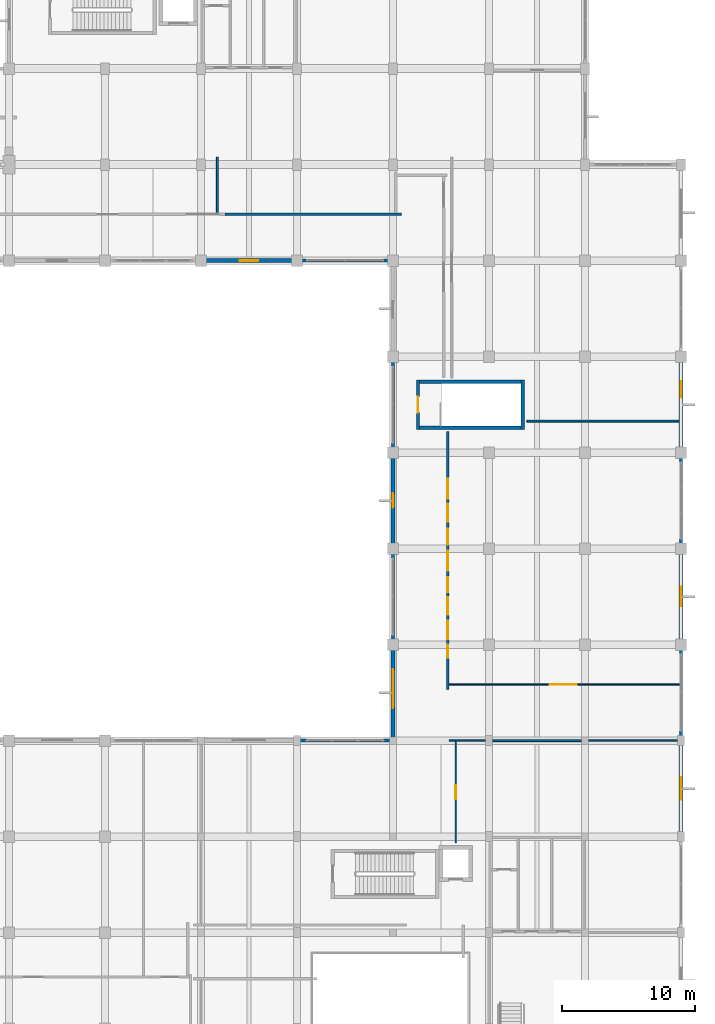
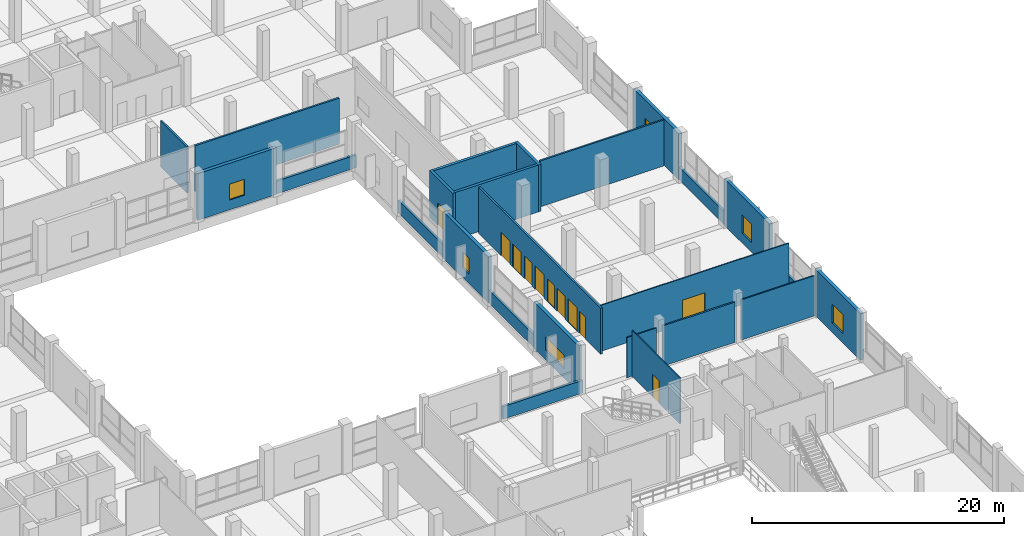
# One storey, part 166 of 181: 25 walls, 11 doors, 6 windows, 17 openings.
"""IFC4 building model written with IfcOpenShell, lengths in metres."""

import ifcopenshell
import ifcopenshell.guid

model = None  # the IFC model being written
_history = None  # IfcOwnerHistory: only IFC2X3 demands one
_inside = {}  # id of a spatial element -> (the spatial element, [elements in it])
_under = {}  # id of a project, library or spatial element -> (it, [spatial elements below it])
_declared = {}  # id of a project -> (the project, [libraries it declares])
_typed = {}  # id of a type object -> (the type object, [elements of that type])
_made_of = {}  # id of a material, layer set ... -> (it, [elements and type objects made of it])


def new_model(schema):
    """Start an empty IFC model of exactly this schema.

    Asked for "IFC4X3", IfcOpenShell would pick the latest addendum, in which some entities
    have other attributes; the version numbers below select the first issue.
    IFC2X3 requires an IfcOwnerHistory on every rooted entity: one is made here for all.
    """
    global model, _history
    if schema == "IFC4X3":
        model = ifcopenshell.file(schema_version=(4, 3, 0, 0))
    else:
        model = ifcopenshell.file(schema=schema)
    _inside.clear()
    _under.clear()
    _declared.clear()
    _typed.clear()
    _made_of.clear()
    _history = None
    if model.schema == "IFC2X3":
        org = make("IfcOrganization", Name="unknown")
        user = make(
            "IfcPersonAndOrganization",
            ThePerson=make("IfcPerson", FamilyName="unknown"),
            TheOrganization=org,
        )
        app = make(
            "IfcApplication",
            ApplicationDeveloper=org,
            Version="unknown",
            ApplicationFullName="unknown",
            ApplicationIdentifier="unknown",
        )
        _history = make(
            "IfcOwnerHistory",
            OwningUser=user,
            OwningApplication=app,
            ChangeAction="ADDED",
            CreationDate=0,
        )
    return model


def make(cls, **values):
    """One entity of the class cls with the attributes given. An attribute that is None is left unset."""
    return model.create_entity(
        cls, **{name: value for name, value in values.items() if value is not None}
    )


def rooted(cls, **values):
    """An entity with a GlobalId (a new one), such as an element, a storey or a relation."""
    return make(cls, GlobalId=ifcopenshell.guid.new(), OwnerHistory=_history, **values)


def si_unit(unit_type, name, prefix=None):
    """IfcSIUnit, for example si_unit("LENGTHUNIT", "METRE", prefix="MILLI")."""
    return make("IfcSIUnit", UnitType=unit_type, Prefix=prefix, Name=name)


def assignment(units):
    """IfcUnitAssignment: the units of a project."""
    return None if units is None else make("IfcUnitAssignment", Units=units)


def point(xyz):
    """IfcCartesianPoint."""
    return None if xyz is None else make("IfcCartesianPoint", Coordinates=xyz)


def direction(xyz):
    """IfcDirection."""
    return None if xyz is None else make("IfcDirection", DirectionRatios=xyz)


def frame(location, z_axis=None, x_axis=None):
    """IfcAxis2Placement3D, a coordinate frame: its origin and axes. An axis left out is left unset."""
    return make(
        "IfcAxis2Placement3D",
        Location=point(location),
        Axis=direction(z_axis),
        RefDirection=direction(x_axis),
    )


def frame_2d(location, x_axis=None):
    """IfcAxis2Placement2D, a coordinate frame in the plane: its origin and x axis."""
    return make(
        "IfcAxis2Placement2D", Location=point(location), RefDirection=direction(x_axis)
    )


def origin():
    """The frame at (0, 0, 0) with its axes left unset."""
    return frame((0.0, 0.0, 0.0))


def place(relative_to, where):
    """IfcLocalPlacement: puts the frame where relative to a parent placement (None: the world)."""
    return make(
        "IfcLocalPlacement", PlacementRelTo=relative_to, RelativePlacement=where
    )


def context(
    kind, dimensions, precision=None, world=None, true_north=None, identifier=None
):
    """IfcGeometricRepresentationContext, for example the 3D "Model" context."""
    return make(
        "IfcGeometricRepresentationContext",
        ContextIdentifier=identifier,
        ContextType=kind,
        CoordinateSpaceDimension=dimensions,
        Precision=precision,
        WorldCoordinateSystem=world,
        TrueNorth=true_north,
    )


def subcontext(parent, identifier, kind, view, scale=None):
    """IfcGeometricRepresentationSubContext, for example "Body" below "Model"."""
    return make(
        "IfcGeometricRepresentationSubContext",
        ContextIdentifier=identifier,
        ContextType=kind,
        ParentContext=parent,
        TargetScale=scale,
        TargetView=view,
    )


def project(units=None, contexts=None):
    """IfcProject with its units and contexts."""
    return rooted(
        "IfcProject",
        Name="project",
        RepresentationContexts=contexts,
        UnitsInContext=assignment(units),
    )


def spatial(cls, under=None, at=None, **own):
    """A site, building, storey or space (cls), placed at a placement, below another one or the project."""
    s = rooted(cls, ObjectPlacement=at, **own)
    if under is not None:
        _under.setdefault(under.id(), (under, []))[1].append(s)
    return s


def profile(cls, at=None, kind="AREA", **sizes):
    """A parametric profile (cls). Its sizes go by their IFC names, for example OverallWidth=200.0."""
    return make(cls, ProfileType=kind, Position=at, **sizes)


def rectangle(**sizes):
    """IfcRectangleProfileDef."""
    return profile("IfcRectangleProfileDef", **sizes)


def extrude(swept, where, along, depth):
    """IfcExtrudedAreaSolid: the profile swept, set in the frame where, extruded along a direction by depth."""
    return make(
        "IfcExtrudedAreaSolid",
        SweptArea=swept,
        Position=where,
        ExtrudedDirection=direction(along),
        Depth=depth,
    )


def shape(context_of_items, identifier, shape_type, items):
    """IfcShapeRepresentation: the items that make up one representation, for example the "Body"."""
    return make(
        "IfcShapeRepresentation",
        ContextOfItems=context_of_items,
        RepresentationIdentifier=identifier,
        RepresentationType=shape_type,
        Items=items,
    )


def material(Name=None, Category=None):
    """IfcMaterial."""
    return make("IfcMaterial", Name=Name, Category=Category)


def layer(
    of_material, thickness, ventilated=None, Name=None, Category=None, Priority=None
):
    """IfcMaterialLayer: one layer of a wall or slab, of a material (None: an air gap)."""
    return make(
        "IfcMaterialLayer",
        Material=of_material,
        LayerThickness=thickness,
        IsVentilated=ventilated,
        Name=Name,
        Category=Category,
        Priority=Priority,
    )


def layer_set(layers, Name=None):
    """IfcMaterialLayerSet."""
    return make("IfcMaterialLayerSet", MaterialLayers=layers, LayerSetName=Name)


def made_of(thing, what):
    """Note that an element or type object is made of a material, layer set ...; save() writes the relation."""
    if what is not None:
        _made_of.setdefault(what.id(), (what, []))[1].append(thing)
    return thing


def type_object(cls, material=None, **own):
    """A type object (cls), such as IfcWallType, which elements share."""
    return made_of(rooted(cls, **own), material)


def element(
    cls,
    number,
    at=None,
    inside=None,
    cuts=None,
    type_object=None,
    material=None,
    context=None,
    identifier="Body",
    shape_type=None,
    held_by="IfcProductDefinitionShape",
    body=None,
    shapes=None,
    **own,
):
    """One element of the class cls, such as IfcWall. Its Tag is "e" and its number.

    at: its placement. inside: the storey or other place that contains it. cuts: it is an
    opening in that element (IfcRelVoidsElement). A single representation is given by context,
    identifier, shape_type and body (its items); several are given by shapes. held_by: the class
    of the entity that holds the representations. save() writes the other relations.
    """
    e = rooted(cls, Tag="e%d" % number, ObjectPlacement=at, **own)
    if body is not None:
        shapes = [shape(context, identifier, shape_type, body)]
    if shapes is not None:
        e.Representation = make(held_by, Representations=shapes)
    if inside is not None:
        _inside.setdefault(inside.id(), (inside, []))[1].append(e)
    if cuts is not None:
        rooted(
            "IfcRelVoidsElement", RelatingBuildingElement=cuts, RelatedOpeningElement=e
        )
    if type_object is not None:
        _typed.setdefault(type_object.id(), (type_object, []))[1].append(e)
    return made_of(e, material)


def fill(opening, filler):
    """IfcRelFillsElement: the door or window that sits in an opening."""
    return rooted(
        "IfcRelFillsElement",
        RelatingOpeningElement=opening,
        RelatedBuildingElement=filler,
    )


def aggregate(whole, parts):
    """IfcRelAggregates: a whole, such as a stair, and the parts it consists of."""
    return rooted("IfcRelAggregates", RelatingObject=whole, RelatedObjects=parts)


def save(model, path):
    """Write the relations noted so far, then the file.

    IfcRelAggregates (storeys below a building ...), IfcRelContainedInSpatialStructure (elements
    in a storey), IfcRelDefinesByType, IfcRelAssociatesMaterial and IfcRelDeclares: one each for
    every whole, place, type object, material and project.
    """
    for whole, parts in _under.values():
        aggregate(whole, parts)
    for where, things in _inside.values():
        rooted(
            "IfcRelContainedInSpatialStructure",
            RelatedElements=things,
            RelatingStructure=where,
        )
    for kind, things in _typed.values():
        rooted("IfcRelDefinesByType", RelatedObjects=things, RelatingType=kind)
    for what, things in _made_of.values():
        rooted("IfcRelAssociatesMaterial", RelatedObjects=things, RelatingMaterial=what)
    for by, libraries in _declared.values():
        rooted("IfcRelDeclares", RelatingContext=by, RelatedDefinitions=libraries)
    model.write(path)


model = new_model("IFC4")

# Units and contexts
model_context = context("Model", 3, precision=1e-05, world=origin(), true_north=direction((0.0, 1.0)))
body_context = subcontext(model_context, "Body", "Model", "MODEL_VIEW")
ifc_project = project(units=[si_unit("LENGTHUNIT", "METRE"), si_unit("AREAUNIT", "SQUARE_METRE"), si_unit("VOLUMEUNIT", "CUBIC_METRE"), si_unit("PLANEANGLEUNIT", "RADIAN"), si_unit("MASSUNIT", "GRAM", prefix="KILO")], contexts=[model_context])

# Site, building, storey
site_placement = place(None, origin())
site = spatial("IfcSite", under=ifc_project, at=site_placement, CompositionType="ELEMENT")
building_placement = place(site_placement, origin())
building = spatial("IfcBuilding", under=site, at=building_placement, Name="Seraya Terrace Polytechnic", CompositionType="ELEMENT")
storey_placement = place(building_placement, frame((0.0, 0.0, 4.800048828125)))
storey = spatial("IfcBuildingStorey", under=building, at=storey_placement, Name="L01", CompositionType="ELEMENT", Elevation=4.800048828125)

# Wall, opening, window
ifc_material_1 = material(Name="Concrete C40/50", Category="concrete")
ifc_layer_1 = layer(ifc_material_1, 0.300048828125, Name="EW-01")
ifc_layer_set_1 = layer_set([ifc_layer_1], Name="Concrete C40/50")
wall_type_1 = type_object("IfcWallType", Name="EW-01", PredefinedType="SOLIDWALL", material=ifc_layer_set_1)
wall_1_placement = place(storey_placement, frame((165.60009765625, 64.800048828125, 0.0), z_axis=(0.0, 0.0, 1.0), x_axis=(0.0, -1.0, 0.0)))
wall_1 = element("IfcWall", 1, at=wall_1_placement, inside=storey, type_object=wall_type_1, Name="Exterior structural wall EW-01 L01", PredefinedType="SOLIDWALL", context=body_context, shape_type="SweptSolid", body=[
    extrude(rectangle(XDim=7.199951171875, YDim=0.300048828125, at=frame_2d((3.60009765625, 0.0))), origin(), (0.0, 0.0, 1.0), 4.52001953125),
])
opening_1_placement = place(wall_1_placement, frame((1.83251953125, 0.0, 0.949951171875)))
opening_1 = element("IfcOpeningElement", 2, at=opening_1_placement, cuts=wall_1, Name="Opening WN-27", PredefinedType="OPENING", context=body_context, shape_type="SweptSolid", body=[
    extrude(rectangle(XDim=1.199951171875, YDim=1.800048828125, at=frame_2d((0.60009765625, 0.89990234375))), frame((0.0, 0.162109375, 0.0), z_axis=(0.0, -1.0, 0.0), x_axis=(1.0, 0.0, 0.0)), (0.0, 0.0, 1.0), 0.323974609375),
])
ifc_material_2 = material(Name="Laminated solar-control Low-E double glazing", Category="glass")
window_type_1 = type_object("IfcWindowType", Name="WN-27", PartitioningType="SINGLE_PANEL", PredefinedType="WINDOW", material=ifc_material_2)
window_1_placement = place(opening_1_placement, origin())
window_1 = element("IfcWindow", 3, at=window_1_placement, inside=storey, type_object=window_type_1, Name="Exterior window WN-27 L01", OverallHeight=1.800048828125, OverallWidth=1.199951171875, PartitioningType="SINGLE_PANEL", PredefinedType="WINDOW", context=body_context, shape_type="SweptSolid", body=[
    extrude(rectangle(XDim=1.199951171875, YDim=1.800048828125, at=frame_2d((0.60009765625, 0.89990234375))), frame((0.0, 0.030029296875, 0.0), z_axis=(0.0, -1.0, 0.0), x_axis=(1.0, 0.0, 0.0)), (0.0, 0.0, 1.0), 0.06005859375),
])
fill(opening_1, window_1)

wall_2_placement = place(storey_placement, frame((165.60009765625, 50.39990234375, 0.0), z_axis=(0.0, 0.0, 1.0), x_axis=(0.0, -1.0, 0.0)))
wall_2 = element("IfcWall", 4, at=wall_2_placement, inside=storey, type_object=wall_type_1, Name="Exterior structural wall EW-01 L01", PredefinedType="SOLIDWALL", context=body_context, shape_type="SweptSolid", body=[
    extrude(rectangle(XDim=7.199951171875, YDim=0.300048828125, at=frame_2d((3.60009765625, 0.0))), origin(), (0.0, 0.0, 1.0), 4.52001953125),
])
opening_2_placement = place(wall_2_placement, frame((2.875, 0.0, 0.949951171875)))
opening_2 = element("IfcOpeningElement", 5, at=opening_2_placement, cuts=wall_2, Name="Opening WN-28", PredefinedType="OPENING", context=body_context, shape_type="SweptSolid", body=[
    extrude(rectangle(XDim=1.449951171875, YDim=1.800048828125, at=frame_2d((0.72509765625, 0.89990234375))), frame((0.0, 0.162109375, 0.0), z_axis=(0.0, -1.0, 0.0), x_axis=(1.0, 0.0, 0.0)), (0.0, 0.0, 1.0), 0.323974609375),
])
window_type_2 = type_object("IfcWindowType", Name="WN-28", PartitioningType="SINGLE_PANEL", PredefinedType="WINDOW", material=ifc_material_2)
window_2_placement = place(opening_2_placement, origin())
window_2 = element("IfcWindow", 6, at=window_2_placement, inside=storey, type_object=window_type_2, Name="Exterior window WN-28 L01", OverallHeight=1.800048828125, OverallWidth=1.449951171875, PartitioningType="SINGLE_PANEL", PredefinedType="WINDOW", context=body_context, shape_type="SweptSolid", body=[
    extrude(rectangle(XDim=1.449951171875, YDim=1.800048828125, at=frame_2d((0.72509765625, 0.89990234375))), frame((0.0, 0.030029296875, 0.0), z_axis=(0.0, -1.0, 0.0), x_axis=(1.0, 0.0, 0.0)), (0.0, 0.0, 1.0), 0.06005859375),
])
fill(opening_2, window_2)

wall_3_placement = place(storey_placement, frame((165.60009765625, 36.0, 0.0), z_axis=(0.0, 0.0, 1.0), x_axis=(0.0, -1.0, 0.0)))
wall_3 = element("IfcWall", 7, at=wall_3_placement, inside=storey, type_object=wall_type_1, Name="Exterior structural wall EW-01 L01", PredefinedType="SOLIDWALL", context=body_context, shape_type="SweptSolid", body=[
    extrude(rectangle(XDim=7.199951171875, YDim=0.300048828125, at=frame_2d((3.60009765625, 0.0))), origin(), (0.0, 0.0, 1.0), 4.52001953125),
])
opening_3_placement = place(wall_3_placement, frame((2.75, 0.0, 0.949951171875)))
opening_3 = element("IfcOpeningElement", 8, at=opening_3_placement, cuts=wall_3, Name="Opening WN-29", PredefinedType="OPENING", context=body_context, shape_type="SweptSolid", body=[
    extrude(rectangle(XDim=1.699951171875, YDim=1.800048828125, at=frame_2d((0.85009765625, 0.89990234375))), frame((0.0, 0.162109375, 0.0), z_axis=(0.0, -1.0, 0.0), x_axis=(1.0, 0.0, 0.0)), (0.0, 0.0, 1.0), 0.323974609375),
])
window_type_3 = type_object("IfcWindowType", Name="WN-29", PartitioningType="SINGLE_PANEL", PredefinedType="WINDOW", material=ifc_material_2)
window_3_placement = place(opening_3_placement, origin())
window_3 = element("IfcWindow", 9, at=window_3_placement, inside=storey, type_object=window_type_3, Name="Exterior window WN-29 L01", OverallHeight=1.800048828125, OverallWidth=1.699951171875, PartitioningType="SINGLE_PANEL", PredefinedType="WINDOW", context=body_context, shape_type="SweptSolid", body=[
    extrude(rectangle(XDim=1.699951171875, YDim=1.800048828125, at=frame_2d((0.85009765625, 0.89990234375))), frame((0.0, 0.030029296875, 0.0), z_axis=(0.0, -1.0, 0.0), x_axis=(1.0, 0.0, 0.0)), (0.0, 0.0, 1.0), 0.06005859375),
])
fill(opening_3, window_3)

wall_4_placement = place(storey_placement, frame((144.0, 36.152099609375, 0.0), z_axis=(0.0, 0.0, 1.0), x_axis=(0.0, 1.0, 0.0)))
wall_4 = element("IfcWall", 10, at=wall_4_placement, inside=storey, type_object=wall_type_1, Name="Exterior structural wall EW-01 L01", PredefinedType="SOLIDWALL", context=body_context, shape_type="SweptSolid", body=[
    extrude(rectangle(XDim=7.0478515625, YDim=0.300048828125, at=frame_2d((3.52392578125, 0.0))), origin(), (0.0, 0.0, 1.0), 4.52001953125),
])
opening_4_placement = place(wall_4_placement, frame((2.2880859375, 0.0, 0.949951171875)))
opening_4 = element("IfcOpeningElement", 11, at=opening_4_placement, cuts=wall_4, Name="Opening WN-12", PredefinedType="OPENING", context=body_context, shape_type="SweptSolid", body=[
    extrude(rectangle(XDim=2.89990234375, YDim=1.300048828125, at=frame_2d((1.449951171875, 0.64990234375))), frame((0.0, 0.162109375, 0.0), z_axis=(0.0, -1.0, 0.0), x_axis=(1.0, 0.0, 0.0)), (0.0, 0.0, 1.0), 0.323974609375),
])
window_type_4 = type_object("IfcWindowType", Name="WN-12", PartitioningType="SINGLE_PANEL", PredefinedType="WINDOW", material=ifc_material_2)
window_4_placement = place(opening_4_placement, origin())
window_4 = element("IfcWindow", 12, at=window_4_placement, inside=storey, type_object=window_type_4, Name="Exterior window WN-12 L01", OverallHeight=1.300048828125, OverallWidth=2.89990234375, PartitioningType="SINGLE_PANEL", PredefinedType="WINDOW", context=body_context, shape_type="SweptSolid", body=[
    extrude(rectangle(XDim=2.89990234375, YDim=1.300048828125, at=frame_2d((1.449951171875, 0.64990234375))), frame((0.0, 0.030029296875, 0.0), z_axis=(0.0, -1.0, 0.0), x_axis=(1.0, 0.0, 0.0)), (0.0, 0.0, 1.0), 0.06005859375),
])
fill(opening_4, window_4)

wall_5_placement = place(storey_placement, frame((144.0, 50.39990234375, 0.0), z_axis=(0.0, 0.0, 1.0), x_axis=(0.0, 1.0, 0.0)))
wall_5 = element("IfcWall", 13, at=wall_5_placement, inside=storey, type_object=wall_type_1, Name="Exterior structural wall EW-01 L01", PredefinedType="SOLIDWALL", context=body_context, shape_type="SweptSolid", body=[
    extrude(rectangle(XDim=7.2001953125, YDim=0.300048828125, at=frame_2d((3.60009765625, 0.0))), origin(), (0.0, 0.0, 1.0), 4.52001953125),
])
opening_5_placement = place(wall_5_placement, frame((3.050048828125, 0.0, 0.949951171875)))
opening_5 = element("IfcOpeningElement", 14, at=opening_5_placement, cuts=wall_5, Name="Opening WN-13", PredefinedType="OPENING", context=body_context, shape_type="SweptSolid", body=[
    extrude(rectangle(XDim=1.10009765625, YDim=1.550048828125, at=frame_2d((0.550048828125, 0.77490234375))), frame((0.0, 0.162109375, 0.0), z_axis=(0.0, -1.0, 0.0), x_axis=(1.0, 0.0, 0.0)), (0.0, 0.0, 1.0), 0.323974609375),
])
window_type_5 = type_object("IfcWindowType", Name="WN-13", PartitioningType="SINGLE_PANEL", PredefinedType="WINDOW", material=ifc_material_2)
window_5_placement = place(opening_5_placement, origin())
window_5 = element("IfcWindow", 15, at=window_5_placement, inside=storey, type_object=window_type_5, Name="Exterior window WN-13 L01", OverallHeight=1.550048828125, OverallWidth=1.10009765625, PartitioningType="SINGLE_PANEL", PredefinedType="WINDOW", context=body_context, shape_type="SweptSolid", body=[
    extrude(rectangle(XDim=1.10009765625, YDim=1.550048828125, at=frame_2d((0.550048828125, 0.77490234375))), frame((0.0, 0.030029296875, 0.0), z_axis=(0.0, -1.0, 0.0), x_axis=(1.0, 0.0, 0.0)), (0.0, 0.0, 1.0), 0.06005859375),
])
fill(opening_5, window_5)

wall_6_placement = place(storey_placement, frame((136.800048828125, 72.0, 0.0), z_axis=(0.0, 0.0, 1.0), x_axis=(-1.0, 0.0, 0.0)))
wall_6 = element("IfcWall", 16, at=wall_6_placement, inside=storey, type_object=wall_type_1, Name="Exterior structural wall EW-01 L01", PredefinedType="SOLIDWALL", context=body_context, shape_type="SweptSolid", body=[
    extrude(rectangle(XDim=7.199951171875, YDim=0.300048828125, at=frame_2d((3.60009765625, 0.0))), origin(), (0.0, 0.0, 1.0), 4.52001953125),
])
opening_6_placement = place(wall_6_placement, frame((2.89990234375, 0.0, 0.949951171875)))
opening_6 = element("IfcOpeningElement", 17, at=opening_6_placement, cuts=wall_6, Name="Opening WN-15", PredefinedType="OPENING", context=body_context, shape_type="SweptSolid", body=[
    extrude(rectangle(XDim=1.39990234375, YDim=1.550048828125, at=frame_2d((0.699951171875, 0.77490234375))), frame((0.0, 0.162109375, 0.0), z_axis=(0.0, -1.0, 0.0), x_axis=(1.0, 0.0, 0.0)), (0.0, 0.0, 1.0), 0.323974609375),
])
window_type_6 = type_object("IfcWindowType", Name="WN-15", PartitioningType="SINGLE_PANEL", PredefinedType="WINDOW", material=ifc_material_2)
window_6_placement = place(opening_6_placement, origin())
window_6 = element("IfcWindow", 18, at=window_6_placement, inside=storey, type_object=window_type_6, Name="Exterior window WN-15 L01", OverallHeight=1.550048828125, OverallWidth=1.39990234375, PartitioningType="SINGLE_PANEL", PredefinedType="WINDOW", context=body_context, shape_type="SweptSolid", body=[
    extrude(rectangle(XDim=1.39990234375, YDim=1.550048828125, at=frame_2d((0.699951171875, 0.77490234375))), frame((0.0, 0.030029296875, 0.0), z_axis=(0.0, -1.0, 0.0), x_axis=(1.0, 0.0, 0.0)), (0.0, 0.0, 1.0), 0.06005859375),
])
fill(opening_6, window_6)

# Walls
ifc_material_3 = material(Name="Precast concrete C40/50", Category="concrete")
ifc_layer_2 = layer(ifc_material_3, 0.219970703125, Name="EW-05")
ifc_layer_set_2 = layer_set([ifc_layer_2], Name="Precast concrete C40/50")
wall_type_2 = type_object("IfcWallType", Name="EW-05", PredefinedType="SOLIDWALL", material=ifc_layer_set_2)
wall_7_placement = place(storey_placement, frame((165.60009765625, 57.60009765625, 0.0), z_axis=(0.0, 0.0, 1.0), x_axis=(0.0, -1.0, 0.0)))
element("IfcWall", 19, at=wall_7_placement, inside=storey, type_object=wall_type_2, Name="Precast spandrel wall L01", PredefinedType="SOLIDWALL", context=body_context, shape_type="SweptSolid", body=[
    extrude(rectangle(XDim=7.2001953125, YDim=0.219970703125, at=frame_2d((3.60009765625, 0.0))), origin(), (0.0, 0.0, 1.0), 1.239990234375),
])
for number, where, z_axis, x_axis, name in (
    (20, (165.60009765625, 43.199951171875, 0.0), (0.0, 0.0, 1.0), (0.0, -1.0, 0.0), "Precast spandrel wall L01"),
    (21, (144.0, 43.199951171875, 0.0), (0.0, 0.0, 1.0), (0.0, 1.0, 0.0), "Precast spandrel wall L01"),
    (22, (144.0, 57.60009765625, 0.0), (0.0, 0.0, 1.0), (0.0, 1.0, 0.0), "Precast spandrel wall L01"),
):
    element("IfcWall", number, at=place(storey_placement, frame(where, z_axis=z_axis, x_axis=x_axis)), inside=storey, type_object=wall_type_2, Name=name, PredefinedType="SOLIDWALL", context=body_context, shape_type="SweptSolid", body=[
        extrude(rectangle(XDim=7.199951171875, YDim=0.219970703125, at=frame_2d((3.60009765625, 0.0))), origin(), (0.0, 0.0, 1.0), 1.239990234375),
    ])
for number, where, z_axis, x_axis, name in (
    (23, (144.14990234375, 72.0, 0.0), (0.0, 0.0, 1.0), (-1.0, 0.0, 0.0), "Precast spandrel wall L01"),
    (24, (136.800048828125, 36.0, 0.0), (0.0, 0.0, 1.0), (1.0, 0.0, 0.0), "Precast spandrel wall L01"),
):
    element("IfcWall", number, at=place(storey_placement, frame(where, z_axis=z_axis, x_axis=x_axis)), inside=storey, type_object=wall_type_2, Name=name, PredefinedType="SOLIDWALL", context=body_context, shape_type="SweptSolid", body=[
        extrude(rectangle(XDim=7.349853515625, YDim=0.219970703125, at=frame_2d((3.6748046875, 0.0))), origin(), (0.0, 0.0, 1.0), 1.239990234375),
    ])
ifc_material_4 = material(Name="Autoclaved aerated concrete blockwork", Category="masonry")
ifc_layer_3 = layer(ifc_material_4, 0.169921875, Name="PT-02")
ifc_layer_set_3 = layer_set([ifc_layer_3], Name="Autoclaved aerated concrete blockwork")
wall_type_3 = type_object("IfcWallType", Name="PT-02", PredefinedType="PARTITIONING", material=ifc_layer_set_3)
wall_8_placement = place(storey_placement, frame((131.388916015625, 75.469970703125, 0.0), z_axis=(0.0, 0.0, 1.0), x_axis=(1.0, 0.0, 0.0)))
element("IfcWall", 25, at=wall_8_placement, inside=storey, type_object=wall_type_3, Name="Internal partition PT-02 L01", PredefinedType="PARTITIONING", context=body_context, shape_type="SweptSolid", body=[
    extrude(rectangle(XDim=13.231201171875, YDim=0.169921875, at=frame_2d((6.61572265625, 0.0))), origin(), (0.0, 0.0, 1.0), 4.4599609375),
])

# Wall, openings, doors
wall_9_placement = place(storey_placement, frame((148.102294921875, 39.82373046875, 0.0), z_axis=(0.0, 0.0, 1.0), x_axis=(0.0, 1.0, 0.0)))
wall_9 = element("IfcWall", 26, at=wall_9_placement, inside=storey, type_object=wall_type_3, Name="Internal partition PT-02 L01", PredefinedType="PARTITIONING", context=body_context, shape_type="SweptSolid", body=[
    extrude(rectangle(XDim=19.34619140625, YDim=0.169921875, at=frame_2d((9.673095703125, 0.0))), origin(), (0.0, 0.0, 1.0), 4.4599609375),
])
opening_7_placement = place(wall_9_placement, frame((8.93310546875, 0.0, 0.0)))
opening_7 = element("IfcOpeningElement", 27, at=opening_7_placement, cuts=wall_9, Name="Opening ID-11", PredefinedType="OPENING", context=body_context, shape_type="SweptSolid", body=[
    extrude(rectangle(XDim=1.47998046875, YDim=2.260009765625, at=frame_2d((0.739990234375, 1.1298828125))), frame((0.0, 0.096923828125, 0.0), z_axis=(0.0, -1.0, 0.0), x_axis=(1.0, 0.0, 0.0)), (0.0, 0.0, 1.0), 0.19384765625),
])
opening_8_placement = place(wall_9_placement, frame((7.302978515625, 0.0, 0.0)))
opening_8 = element("IfcOpeningElement", 28, at=opening_8_placement, cuts=wall_9, Name="Opening ID-06", PredefinedType="OPENING", context=body_context, shape_type="SweptSolid", body=[
    extrude(rectangle(XDim=1.139892578125, YDim=2.199951171875, at=frame_2d((0.56982421875, 1.10009765625))), frame((0.0, 0.096923828125, 0.0), z_axis=(0.0, -1.0, 0.0), x_axis=(1.0, 0.0, 0.0)), (0.0, 0.0, 1.0), 0.19384765625),
])
opening_9_placement = place(wall_9_placement, frame((10.863037109375, 0.0, 0.0)))
opening_9 = element("IfcOpeningElement", 29, at=opening_9_placement, cuts=wall_9, Name="Opening ID-07", PredefinedType="OPENING", context=body_context, shape_type="SweptSolid", body=[
    extrude(rectangle(XDim=1.219970703125, YDim=2.219970703125, at=frame_2d((0.60986328125, 1.10986328125))), frame((0.0, 0.096923828125, 0.0), z_axis=(0.0, -1.0, 0.0), x_axis=(1.0, 0.0, 0.0)), (0.0, 0.0, 1.0), 0.19384765625),
])
opening_10_placement = place(wall_9_placement, frame((5.633056640625, 0.0, 0.0)))
opening_10 = element("IfcOpeningElement", 30, at=opening_10_placement, cuts=wall_9, Name="Opening ID-08", PredefinedType="OPENING", context=body_context, shape_type="SweptSolid", body=[
    extrude(rectangle(XDim=1.280029296875, YDim=2.219970703125, at=frame_2d((0.64013671875, 1.10986328125))), frame((0.0, 0.096923828125, 0.0), z_axis=(0.0, -1.0, 0.0), x_axis=(1.0, 0.0, 0.0)), (0.0, 0.0, 1.0), 0.19384765625),
])
opening_11_placement = place(wall_9_placement, frame((12.60302734375, 0.0, 0.0)))
opening_11 = element("IfcOpeningElement", 31, at=opening_11_placement, cuts=wall_9, Name="Opening ID-09", PredefinedType="OPENING", context=body_context, shape_type="SweptSolid", body=[
    extrude(rectangle(XDim=1.340087890625, YDim=2.239990234375, at=frame_2d((0.669921875, 1.1201171875))), frame((0.0, 0.096923828125, 0.0), z_axis=(0.0, -1.0, 0.0), x_axis=(1.0, 0.0, 0.0)), (0.0, 0.0, 1.0), 0.19384765625),
])
opening_12_placement = place(wall_9_placement, frame((3.76318359375, 0.0, 0.0)))
opening_12 = element("IfcOpeningElement", 32, at=opening_12_placement, cuts=wall_9, Name="Opening ID-10", PredefinedType="OPENING", context=body_context, shape_type="SweptSolid", body=[
    extrude(rectangle(XDim=1.419921875, YDim=2.239990234375, at=frame_2d((0.7099609375, 1.1201171875))), frame((0.0, 0.096923828125, 0.0), z_axis=(0.0, -1.0, 0.0), x_axis=(1.0, 0.0, 0.0)), (0.0, 0.0, 1.0), 0.19384765625),
])
opening_13_placement = place(wall_9_placement, frame((14.3330078125, 0.0, 0.0)))
opening_13 = element("IfcOpeningElement", 33, at=opening_13_placement, cuts=wall_9, Name="Opening ID-11", PredefinedType="OPENING", context=body_context, shape_type="SweptSolid", body=[
    extrude(rectangle(XDim=1.47998046875, YDim=2.260009765625, at=frame_2d((0.739990234375, 1.1298828125))), frame((0.0, 0.096923828125, 0.0), z_axis=(0.0, -1.0, 0.0), x_axis=(1.0, 0.0, 0.0)), (0.0, 0.0, 1.0), 0.19384765625),
])
opening_14_placement = place(wall_9_placement, frame((2.383056640625, 0.0, 0.0)))
opening_14 = element("IfcOpeningElement", 34, at=opening_14_placement, cuts=wall_9, Name="Opening ID-03", PredefinedType="OPENING", context=body_context, shape_type="SweptSolid", body=[
    extrude(rectangle(XDim=0.97998046875, YDim=2.139892578125, at=frame_2d((0.489990234375, 1.06982421875))), frame((0.0, 0.096923828125, 0.0), z_axis=(0.0, -1.0, 0.0), x_axis=(1.0, 0.0, 0.0)), (0.0, 0.0, 1.0), 0.19384765625),
])
ifc_material_5 = material(Name="Malaysian dark red meranti hardwood timber D40", Category="wood")
door_type_1 = type_object("IfcDoorType", Name="ID-03", OperationType="NOTDEFINED", PredefinedType="DOOR", material=ifc_material_5)
door_1_placement = place(opening_14_placement, origin())
door_1 = element("IfcDoor", 35, at=door_1_placement, inside=storey, type_object=door_type_1, Name="Door ID-03 DR-INT-L01-0128 in WL-INT-L01-0322", OperationType="SINGLE_SWING_LEFT", OverallHeight=2.139892578125, OverallWidth=0.97998046875, PredefinedType="DOOR", context=body_context, shape_type="SweptSolid", body=[
    extrude(rectangle(XDim=0.97998046875, YDim=2.139892578125, at=frame_2d((0.489990234375, 1.06982421875))), frame((0.0, 0.02490234375, 0.0), z_axis=(0.0, -1.0, 0.0), x_axis=(1.0, 0.0, 0.0)), (0.0, 0.0, 1.0), 0.050048828125),
])
fill(opening_14, door_1)
door_type_2 = type_object("IfcDoorType", Name="ID-06", OperationType="NOTDEFINED", PredefinedType="DOOR", material=ifc_material_5)
door_2_placement = place(opening_8_placement, frame((1.139892578125, 0.0, 0.0), z_axis=(0.0, 0.0, 1.0), x_axis=(-1.0, 0.0, 0.0)))
door_2 = element("IfcDoor", 36, at=door_2_placement, inside=storey, type_object=door_type_2, Name="Door ID-06 DR-INT-L01-0115 in WL-INT-L01-0322", OperationType="SINGLE_SWING_RIGHT", OverallHeight=2.199951171875, OverallWidth=1.139892578125, PredefinedType="DOOR", context=body_context, shape_type="SweptSolid", body=[
    extrude(rectangle(XDim=1.139892578125, YDim=2.199951171875, at=frame_2d((0.56982421875, 1.10009765625))), frame((0.0, 0.02490234375, 0.0), z_axis=(0.0, -1.0, 0.0), x_axis=(1.0, 0.0, 0.0)), (0.0, 0.0, 1.0), 0.050048828125),
])
fill(opening_8, door_2)
door_type_3 = type_object("IfcDoorType", Name="ID-07", OperationType="NOTDEFINED", PredefinedType="DOOR", material=ifc_material_5)
door_3_placement = place(opening_9_placement, origin())
door_3 = element("IfcDoor", 37, at=door_3_placement, inside=storey, type_object=door_type_3, Name="Door ID-07 DR-INT-L01-0116 in WL-INT-L01-0322", OperationType="SINGLE_SWING_LEFT", OverallHeight=2.219970703125, OverallWidth=1.219970703125, PredefinedType="DOOR", context=body_context, shape_type="SweptSolid", body=[
    extrude(rectangle(XDim=1.219970703125, YDim=2.219970703125, at=frame_2d((0.60986328125, 1.10986328125))), frame((0.0, 0.02490234375, 0.0), z_axis=(0.0, -1.0, 0.0), x_axis=(1.0, 0.0, 0.0)), (0.0, 0.0, 1.0), 0.050048828125),
])
fill(opening_9, door_3)
door_type_4 = type_object("IfcDoorType", Name="ID-08", OperationType="NOTDEFINED", PredefinedType="DOOR", material=ifc_material_5)
door_4_placement = place(opening_10_placement, frame((1.280029296875, 0.0, 0.0), z_axis=(0.0, 0.0, 1.0), x_axis=(-1.0, 0.0, 0.0)))
door_4 = element("IfcDoor", 38, at=door_4_placement, inside=storey, type_object=door_type_4, Name="Door ID-08 DR-INT-L01-0117 in WL-INT-L01-0322", OperationType="SINGLE_SWING_RIGHT", OverallHeight=2.219970703125, OverallWidth=1.280029296875, PredefinedType="DOOR", context=body_context, shape_type="SweptSolid", body=[
    extrude(rectangle(XDim=1.280029296875, YDim=2.219970703125, at=frame_2d((0.64013671875, 1.10986328125))), frame((0.0, 0.02490234375, 0.0), z_axis=(0.0, -1.0, 0.0), x_axis=(1.0, 0.0, 0.0)), (0.0, 0.0, 1.0), 0.050048828125),
])
fill(opening_10, door_4)
door_type_5 = type_object("IfcDoorType", Name="ID-09", OperationType="NOTDEFINED", PredefinedType="DOOR", material=ifc_material_5)
door_5_placement = place(opening_11_placement, origin())
door_5 = element("IfcDoor", 39, at=door_5_placement, inside=storey, type_object=door_type_5, Name="Door ID-09 DR-INT-L01-0118 in WL-INT-L01-0322", OperationType="SINGLE_SWING_LEFT", OverallHeight=2.239990234375, OverallWidth=1.340087890625, PredefinedType="DOOR", context=body_context, shape_type="SweptSolid", body=[
    extrude(rectangle(XDim=1.340087890625, YDim=2.239990234375, at=frame_2d((0.669921875, 1.1201171875))), frame((0.0, 0.02490234375, 0.0), z_axis=(0.0, -1.0, 0.0), x_axis=(1.0, 0.0, 0.0)), (0.0, 0.0, 1.0), 0.050048828125),
])
fill(opening_11, door_5)
door_type_6 = type_object("IfcDoorType", Name="ID-10", OperationType="DOUBLE_DOOR_SINGLE_SWING", PredefinedType="DOOR", material=ifc_material_5)
door_6_placement = place(opening_12_placement, frame((1.419921875, 0.0, 0.0), z_axis=(0.0, 0.0, 1.0), x_axis=(-1.0, 0.0, 0.0)))
door_6 = element("IfcDoor", 40, at=door_6_placement, inside=storey, type_object=door_type_6, Name="Door ID-10 DR-INT-L01-0119 in WL-INT-L01-0322", OperationType="DOUBLE_DOOR_SINGLE_SWING", OverallHeight=2.239990234375, OverallWidth=1.419921875, PredefinedType="DOOR", context=body_context, shape_type="SweptSolid", body=[
    extrude(rectangle(XDim=1.419921875, YDim=2.239990234375, at=frame_2d((0.7099609375, 1.1201171875))), frame((0.0, 0.02490234375, 0.0), z_axis=(0.0, -1.0, 0.0), x_axis=(1.0, 0.0, 0.0)), (0.0, 0.0, 1.0), 0.050048828125),
])
fill(opening_12, door_6)
door_type_7 = type_object("IfcDoorType", Name="ID-11", OperationType="DOUBLE_DOOR_SINGLE_SWING", PredefinedType="DOOR", material=ifc_material_5)
door_7_placement = place(opening_7_placement, origin())
door_7 = element("IfcDoor", 41, at=door_7_placement, inside=storey, type_object=door_type_7, Name="Door ID-11 DR-INT-L01-0104 in WL-INT-L01-0322", OperationType="DOUBLE_DOOR_SINGLE_SWING", OverallHeight=2.260009765625, OverallWidth=1.47998046875, PredefinedType="DOOR", context=body_context, shape_type="SweptSolid", body=[
    extrude(rectangle(XDim=1.47998046875, YDim=2.260009765625, at=frame_2d((0.739990234375, 1.1298828125))), frame((0.0, 0.02490234375, 0.0), z_axis=(0.0, -1.0, 0.0), x_axis=(1.0, 0.0, 0.0)), (0.0, 0.0, 1.0), 0.050048828125),
])
fill(opening_7, door_7)
door_8_placement = place(opening_13_placement, origin())
door_8 = element("IfcDoor", 42, at=door_8_placement, inside=storey, type_object=door_type_7, Name="Door ID-11 DR-INT-L01-0120 in WL-INT-L01-0322", OperationType="DOUBLE_DOOR_SINGLE_SWING", OverallHeight=2.260009765625, OverallWidth=1.47998046875, PredefinedType="DOOR", context=body_context, shape_type="SweptSolid", body=[
    extrude(rectangle(XDim=1.47998046875, YDim=2.260009765625, at=frame_2d((0.739990234375, 1.1298828125))), frame((0.0, 0.02490234375, 0.0), z_axis=(0.0, -1.0, 0.0), x_axis=(1.0, 0.0, 0.0)), (0.0, 0.0, 1.0), 0.050048828125),
])
fill(opening_13, door_8)

# Walls
ifc_layer_4 = layer(ifc_material_4, 0.14990234375, Name="PT-03")
ifc_layer_set_4 = layer_set([ifc_layer_4], Name="Autoclaved aerated concrete blockwork")
wall_type_4 = type_object("IfcWallType", Name="PT-03", PredefinedType="PARTITIONING", material=ifc_layer_set_4)
wall_10_placement = place(storey_placement, frame((130.828857421875, 75.570068359375, 0.0), z_axis=(0.0, 0.0, 1.0), x_axis=(0.0, 1.0, 0.0)))
element("IfcWall", 43, at=wall_10_placement, inside=storey, type_object=wall_type_4, Name="Internal partition PT-03 L01", PredefinedType="PARTITIONING", context=body_context, shape_type="SweptSolid", body=[
    extrude(rectangle(XDim=4.18994140625, YDim=0.14990234375, at=frame_2d((2.094970703125, 0.0))), origin(), (0.0, 0.0, 1.0), 4.4599609375),
])
wall_11_placement = place(storey_placement, frame((151.485107421875, 36.0, 0.0), z_axis=(0.0, 0.0, 1.0), x_axis=(1.0, 0.0, 0.0)))
element("IfcWall", 44, at=wall_11_placement, inside=storey, type_object=wall_type_4, Name="Internal partition PT-03 L01", PredefinedType="PARTITIONING", context=body_context, shape_type="SweptSolid", body=[
    extrude(rectangle(XDim=6.6298828125, YDim=0.14990234375, at=frame_2d((3.31494140625, 0.0))), origin(), (0.0, 0.0, 1.0), 3.89990234375),
])
wall_12_placement = place(storey_placement, frame((154.030029296875, 59.955078125, 0.0), z_axis=(0.0, 0.0, 1.0), x_axis=(1.0, 0.0, 0.0)))
element("IfcWall", 45, at=wall_12_placement, inside=storey, type_object=wall_type_4, Name="Internal partition PT-03 L01", PredefinedType="PARTITIONING", context=body_context, shape_type="SweptSolid", body=[
    extrude(rectangle(XDim=11.407958984375, YDim=0.14990234375, at=frame_2d((5.7041015625, 0.0))), origin(), (0.0, 0.0, 1.0), 4.4599609375),
])
ifc_layer_5 = layer(ifc_material_4, 0.1201171875, Name="PT-05")
ifc_layer_set_5 = layer_set([ifc_layer_5], Name="Autoclaved aerated concrete blockwork")
wall_type_5 = type_object("IfcWallType", Name="PT-05", PredefinedType="PARTITIONING", material=ifc_layer_set_5)
wall_13_placement = place(storey_placement, frame((158.68505859375, 36.0, 0.0), z_axis=(0.0, 0.0, 1.0), x_axis=(1.0, 0.0, 0.0)))
element("IfcWall", 46, at=wall_13_placement, inside=storey, type_object=wall_type_5, Name="Internal partition PT-05 L01", PredefinedType="PARTITIONING", context=body_context, shape_type="SweptSolid", body=[
    extrude(rectangle(XDim=6.7529296875, YDim=0.1201171875, at=frame_2d((3.37646484375, 0.0))), origin(), (0.0, 0.0, 1.0), 3.89990234375),
])

# Wall, opening, door
ifc_layer_6 = layer(ifc_material_4, 0.10009765625, Name="PT-06")
ifc_layer_set_6 = layer_set([ifc_layer_6], Name="Autoclaved aerated concrete blockwork")
wall_type_6 = type_object("IfcWallType", Name="PT-06", PredefinedType="PARTITIONING", material=ifc_layer_set_6)
wall_14_placement = place(storey_placement, frame((148.2021484375, 40.2099609375, 0.0), z_axis=(0.0, 0.0, 1.0), x_axis=(1.0, 0.0, 0.0)))
wall_14 = element("IfcWall", 47, at=wall_14_placement, inside=storey, type_object=wall_type_6, Name="Internal partition PT-06 L01", PredefinedType="PARTITIONING", context=body_context, shape_type="SweptSolid", body=[
    extrude(rectangle(XDim=17.27587890625, YDim=0.10009765625, at=frame_2d((8.637939453125, 0.0))), origin(), (0.0, 0.0, 1.0), 4.4599609375),
])
opening_15_placement = place(wall_14_placement, frame((7.533935546875, 0.0, 0.0)))
opening_15 = element("IfcOpeningElement", 48, at=opening_15_placement, cuts=wall_14, Name="Opening ID-17", PredefinedType="OPENING", context=body_context, shape_type="SweptSolid", body=[
    extrude(rectangle(XDim=2.0400390625, YDim=2.340087890625, at=frame_2d((1.02001953125, 1.169921875))), frame((0.0, 0.06201171875, 0.0), z_axis=(0.0, -1.0, 0.0), x_axis=(1.0, 0.0, 0.0)), (0.0, 0.0, 1.0), 0.1240234375),
])
door_type_8 = type_object("IfcDoorType", Name="ID-17", OperationType="DOUBLE_DOOR_SINGLE_SWING", PredefinedType="DOOR", material=ifc_material_5)
door_9_placement = place(opening_15_placement, origin())
door_9 = element("IfcDoor", 49, at=door_9_placement, inside=storey, type_object=door_type_8, Name="Door ID-17 DR-INT-L01-0110 in WL-INT-L01-0384", OperationType="DOUBLE_DOOR_SINGLE_SWING", OverallHeight=2.340087890625, OverallWidth=2.0400390625, PredefinedType="DOOR", context=body_context, shape_type="SweptSolid", body=[
    extrude(rectangle(XDim=2.0400390625, YDim=2.340087890625, at=frame_2d((1.02001953125, 1.169921875))), frame((0.0, 0.02490234375, 0.0), z_axis=(0.0, -1.0, 0.0), x_axis=(1.0, 0.0, 0.0)), (0.0, 0.0, 1.0), 0.050048828125),
])
fill(opening_15, door_9)

# Wall
wall_15_placement = place(storey_placement, frame((148.199951171875, 36.0, 0.0), z_axis=(0.0, 0.0, 1.0), x_axis=(1.0, 0.0, 0.0)))
element("IfcWall", 50, at=wall_15_placement, inside=storey, type_object=wall_type_6, Name="Internal partition PT-06 L01", PredefinedType="PARTITIONING", context=body_context, shape_type="SweptSolid", body=[
    extrude(rectangle(XDim=2.715087890625, YDim=0.10009765625, at=frame_2d((1.357421875, 0.0))), origin(), (0.0, 0.0, 1.0), 3.89990234375),
])

# Wall, opening, door
wall_16_placement = place(storey_placement, frame((148.699951171875, 28.330078125, 0.0), z_axis=(0.0, 0.0, 1.0), x_axis=(0.0, 1.0, 0.0)))
wall_16 = element("IfcWall", 51, at=wall_16_placement, inside=storey, type_object=wall_type_6, Name="Internal partition PT-06 L01", PredefinedType="PARTITIONING", context=body_context, shape_type="SweptSolid", body=[
    extrude(rectangle(XDim=7.60498046875, YDim=0.10009765625, at=frame_2d((3.802490234375, 0.0))), origin(), (0.0, 0.0, 1.0), 4.4599609375),
])
opening_16_placement = place(wall_16_placement, frame((3.282470703125, 0.0, 0.0)))
opening_16 = element("IfcOpeningElement", 52, at=opening_16_placement, cuts=wall_16, Name="Opening ID-04", PredefinedType="OPENING", context=body_context, shape_type="SweptSolid", body=[
    extrude(rectangle(XDim=1.0400390625, YDim=2.179931640625, at=frame_2d((0.52001953125, 1.08984375))), frame((0.0, 0.06201171875, 0.0), z_axis=(0.0, -1.0, 0.0), x_axis=(1.0, 0.0, 0.0)), (0.0, 0.0, 1.0), 0.1240234375),
])
door_type_9 = type_object("IfcDoorType", Name="ID-04", OperationType="NOTDEFINED", PredefinedType="DOOR", material=ifc_material_5)
door_10_placement = place(opening_16_placement, frame((1.0400390625, 0.0, 0.0), z_axis=(0.0, 0.0, 1.0), x_axis=(-1.0, 0.0, 0.0)))
door_10 = element("IfcDoor", 53, at=door_10_placement, inside=storey, type_object=door_type_9, Name="Door ID-04 DR-INT-L01-0113 in WL-INT-L01-0393", OperationType="SINGLE_SWING_RIGHT", OverallHeight=2.179931640625, OverallWidth=1.0400390625, PredefinedType="DOOR", context=body_context, shape_type="SweptSolid", body=[
    extrude(rectangle(XDim=1.0400390625, YDim=2.179931640625, at=frame_2d((0.52001953125, 1.08984375))), frame((0.0, 0.02490234375, 0.0), z_axis=(0.0, -1.0, 0.0), x_axis=(1.0, 0.0, 0.0)), (0.0, 0.0, 1.0), 0.050048828125),
])
fill(opening_16, door_10)

ifc_layer_7 = layer(ifc_material_1, 0.25, Name="SW-02")
ifc_layer_set_7 = layer_set([ifc_layer_7], Name="Concrete C40/50")
wall_type_7 = type_object("IfcWallType", Name="SW-02", PredefinedType="SHEAR", material=ifc_layer_set_7)
wall_17_placement = place(storey_placement, frame((145.875, 59.35009765625, 0.0), z_axis=(0.0, 0.0, 1.0), x_axis=(0.0, 1.0, 0.0)))
wall_17 = element("IfcWall", 54, at=wall_17_placement, inside=storey, type_object=wall_type_7, Name="Stairwell ST-11 West wall L01", PredefinedType="SHEAR", context=body_context, shape_type="SweptSolid", body=[
    extrude(rectangle(XDim=3.699951171875, YDim=0.25, at=frame_2d((1.85009765625, 0.0))), origin(), (0.0, 0.0, 1.0), 4.550048828125),
])
opening_17_placement = place(wall_17_placement, frame((1.25, 0.0, 0.0)))
opening_17 = element("IfcOpeningElement", 55, at=opening_17_placement, cuts=wall_17, Name="Opening FD-01", PredefinedType="OPENING", context=body_context, shape_type="SweptSolid", body=[
    extrude(rectangle(XDim=1.199951171875, YDim=2.14990234375, at=frame_2d((0.60009765625, 1.074951171875))), frame((0.0, 0.136962890625, 0.0), z_axis=(0.0, -1.0, 0.0), x_axis=(1.0, 0.0, 0.0)), (0.0, 0.0, 1.0), 0.27392578125),
])
ifc_material_6 = material(Name="Steel S355J2", Category="steel")
door_type_10 = type_object("IfcDoorType", Name="FD-01", OperationType="NOTDEFINED", PredefinedType="DOOR", material=ifc_material_6)
door_11_placement = place(opening_17_placement, frame((1.199951171875, 0.0, 0.0), z_axis=(0.0, 0.0, 1.0), x_axis=(-1.0, 0.0, 0.0)))
door_11 = element("IfcDoor", 56, at=door_11_placement, inside=storey, type_object=door_type_10, Name="Door FD-01 DR-STR-ST-11-L01 in WL-STR-ST-11-L01-W", OperationType="SINGLE_SWING_LEFT", OverallHeight=2.14990234375, OverallWidth=1.199951171875, PredefinedType="DOOR", context=body_context, shape_type="SweptSolid", body=[
    extrude(rectangle(XDim=1.199951171875, YDim=2.14990234375, at=frame_2d((0.60009765625, 1.074951171875))), frame((0.0, 0.02490234375, 0.0), z_axis=(0.0, -1.0, 0.0), x_axis=(1.0, 0.0, 0.0)), (0.0, 0.0, 1.0), 0.050048828125),
])
fill(opening_17, door_11)

# Walls
wall_18_placement = place(storey_placement, frame((153.72509765625, 59.35009765625, 0.0), z_axis=(0.0, 0.0, 1.0), x_axis=(0.0, 1.0, 0.0)))
element("IfcWall", 57, at=wall_18_placement, inside=storey, type_object=wall_type_7, Name="Stairwell ST-11 East wall L01", PredefinedType="SHEAR", context=body_context, shape_type="SweptSolid", body=[
    extrude(rectangle(XDim=3.699951171875, YDim=0.25, at=frame_2d((1.85009765625, 0.0))), origin(), (0.0, 0.0, 1.0), 4.550048828125),
])
for number, where, z_axis, x_axis, name in (
    (58, (146.0, 59.47509765625, 0.0), (0.0, 0.0, 1.0), (1.0, 0.0, 0.0), "Stairwell ST-11 South wall L01"),
    (59, (146.0, 62.925048828125, 0.0), (0.0, 0.0, 1.0), (1.0, 0.0, 0.0), "Stairwell ST-11 North wall L01"),
):
    element("IfcWall", number, at=place(storey_placement, frame(where, z_axis=z_axis, x_axis=x_axis)), inside=storey, type_object=wall_type_7, Name=name, PredefinedType="SHEAR", context=body_context, shape_type="SweptSolid", body=[
        extrude(rectangle(XDim=7.60009765625, YDim=0.25, at=frame_2d((3.800048828125, 0.0))), origin(), (0.0, 0.0, 1.0), 4.550048828125),
    ])

save(model, "model.ifc")
